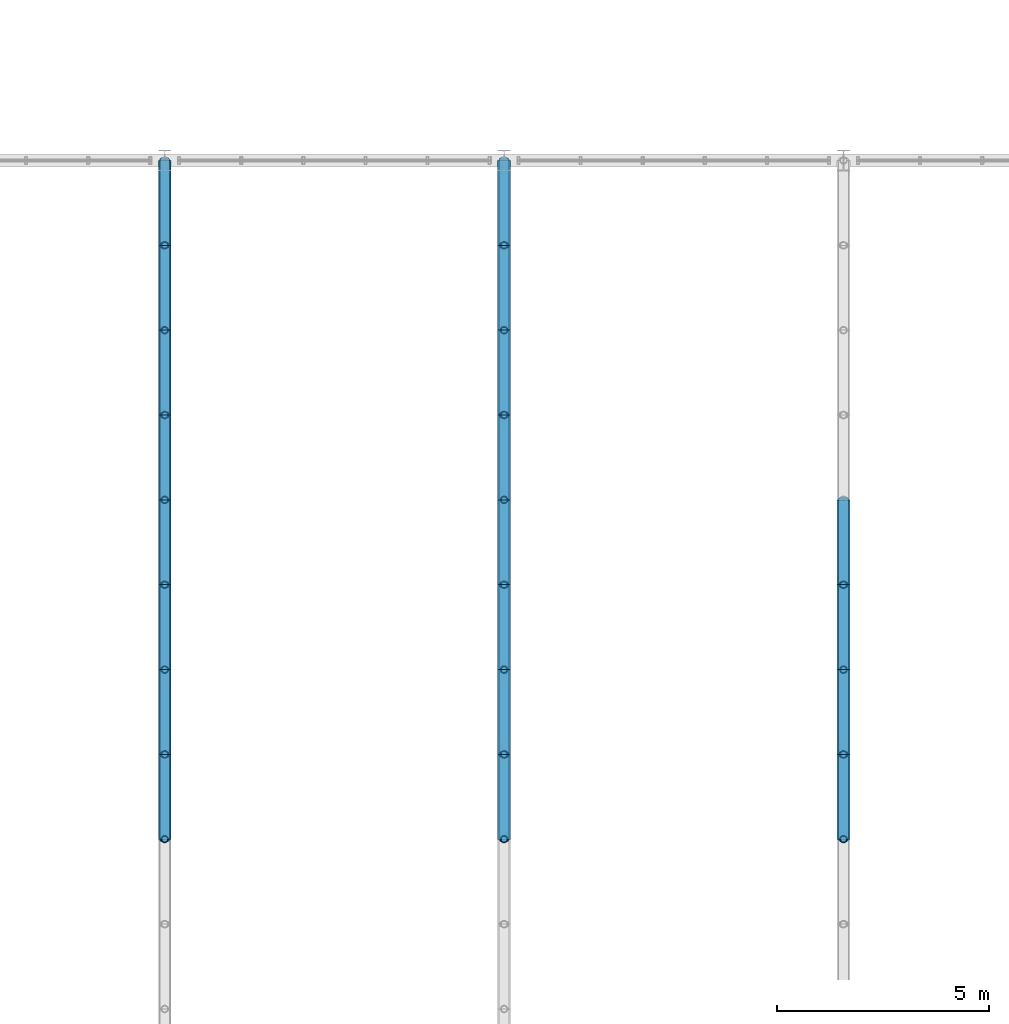
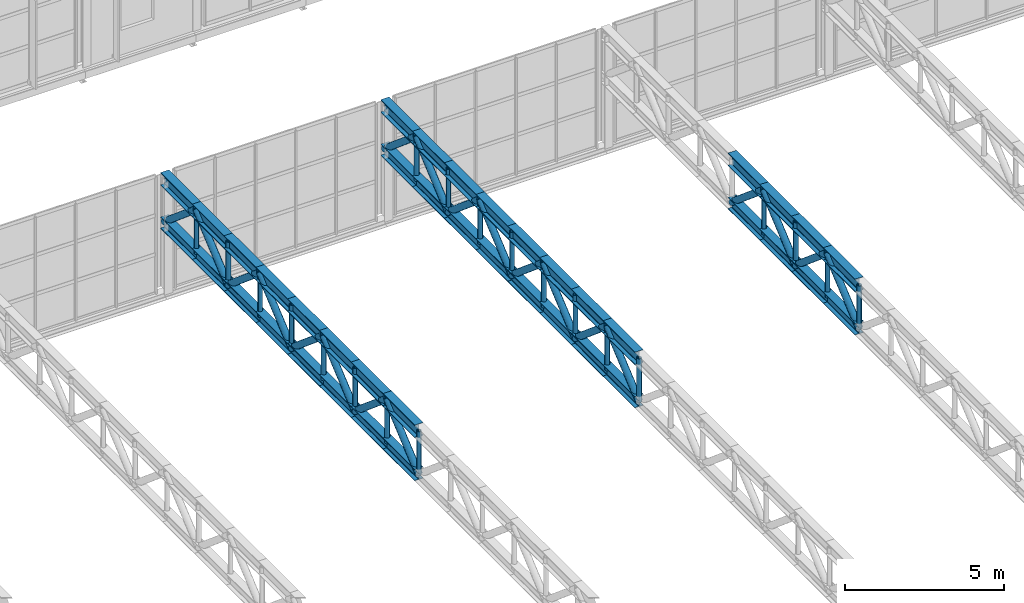
# One storey, part 88 of 143: 80 members.
"""IFC4 building model written with IfcOpenShell, lengths in metres."""

from ifc_helpers import new_model, si_unit, derived_unit, direction, frame, origin, origin_2d, place, context, subcontext, project, spatial, hollow_circle, i_section, extrude, material, material_profile, profile_set, type_object, element, save


model = new_model("IFC4")

# Units and contexts
model_context = context("Model", 3, precision=1e-05, world=origin(), true_north=direction((0.0, 1.0)))
body_context = subcontext(model_context, "Body", "Model", "MODEL_VIEW")
ifc_project = project(units=[si_unit("LENGTHUNIT", "METRE"), si_unit("AREAUNIT", "SQUARE_METRE"), si_unit("VOLUMEUNIT", "CUBIC_METRE"), si_unit("PLANEANGLEUNIT", "RADIAN"), si_unit("MASSUNIT", "GRAM", prefix="KILO"), derived_unit("THERMALTRANSMITTANCEUNIT", [(si_unit("POWERUNIT", "WATT"), 1), (si_unit("LENGTHUNIT", "METRE"), -2), (si_unit("THERMODYNAMICTEMPERATUREUNIT", "KELVIN"), -1)])], contexts=[model_context])

# Site, building, storey
site_placement = place(None, origin())
site = spatial("IfcSite", under=ifc_project, at=site_placement, CompositionType="ELEMENT")
building_placement = place(site_placement, origin())
building = spatial("IfcBuilding", under=site, at=building_placement, Name="Keldorne Ridge Multi-Sports Centre", CompositionType="ELEMENT")
storey_placement = place(building_placement, frame((0.0, 0.0, 4.800048828125)))
storey = spatial("IfcBuildingStorey", under=building, at=storey_placement, Name="L01", CompositionType="ELEMENT", Elevation=4.800048828125)

# Members
ifc_material = material(Name="Steel S355", Category="steel")
ifc_material_profile_1 = material_profile(ifc_material, i_section(OverallWidth=0.300048828125, OverallDepth=0.5, WebThickness=0.014404296875, FlangeThickness=0.028076171875, FilletRadius=0.027099609375, at=origin_2d()), Name="HEB 500")
ifc_profile_set_1 = profile_set([ifc_material_profile_1], Name="Steel S355")
member_type_1 = type_object("IfcMemberType", Name="MEM-TC-03", PredefinedType="CHORD", material=ifc_profile_set_1)
for number, where, z_axis, x_axis, name in (
    (1, (136.0, 38.0, 4.31005859375), (0.0, 1.0, 0.0), (-1.0, 0.0, 0.0), "Stacked Courts Warren TRUSS WT-L02-05 top chord 17"),
    (2, (136.0, 40.0, 4.31005859375), (0.0, 1.0, 0.0), (-1.0, 0.0, 0.0), "Stacked Courts Warren TRUSS WT-L02-05 top chord 18"),
    (3, (136.0, 42.0, 4.31005859375), (0.0, 1.0, 0.0), (-1.0, 0.0, 0.0), "Stacked Courts Warren TRUSS WT-L02-05 top chord 19"),
    (4, (136.0, 44.0, 4.31005859375), (0.0, 1.0, 0.0), (-1.0, 0.0, 0.0), "Stacked Courts Warren TRUSS WT-L02-05 top chord 20"),
    (5, (136.0, 46.0, 4.31005859375), (0.0, 1.0, 0.0), (-1.0, 0.0, 0.0), "Stacked Courts Warren TRUSS WT-L02-05 top chord 21"),
    (6, (136.0, 48.0, 4.31005859375), (0.0, 1.0, 0.0), (-1.0, 0.0, 0.0), "Stacked Courts Warren TRUSS WT-L02-05 top chord 22"),
    (7, (136.0, 50.0, 4.31005859375), (0.0, 1.0, 0.0), (-1.0, 0.0, 0.0), "Stacked Courts Warren TRUSS WT-L02-05 top chord 23"),
    (8, (136.0, 52.0, 4.31005859375), (0.0, 1.0, 0.0), (-1.0, 0.0, 0.0), "Stacked Courts Warren TRUSS WT-L02-05 top chord 24"),
    (9, (144.0, 38.0, 4.31005859375), (0.0, 1.0, 0.0), (-1.0, 0.0, 0.0), "Stacked Courts Warren TRUSS WT-L02-06 top chord 17"),
    (10, (144.0, 40.0, 4.31005859375), (0.0, 1.0, 0.0), (-1.0, 0.0, 0.0), "Stacked Courts Warren TRUSS WT-L02-06 top chord 18"),
    (11, (144.0, 42.0, 4.31005859375), (0.0, 1.0, 0.0), (-1.0, 0.0, 0.0), "Stacked Courts Warren TRUSS WT-L02-06 top chord 19"),
    (12, (144.0, 44.0, 4.31005859375), (0.0, 1.0, 0.0), (-1.0, 0.0, 0.0), "Stacked Courts Warren TRUSS WT-L02-06 top chord 20"),
    (13, (144.0, 46.0, 4.31005859375), (0.0, 1.0, 0.0), (-1.0, 0.0, 0.0), "Stacked Courts Warren TRUSS WT-L02-06 top chord 21"),
    (14, (144.0, 48.0, 4.31005859375), (0.0, 1.0, 0.0), (-1.0, 0.0, 0.0), "Stacked Courts Warren TRUSS WT-L02-06 top chord 22"),
    (15, (144.0, 50.0, 4.31005859375), (0.0, 1.0, 0.0), (-1.0, 0.0, 0.0), "Stacked Courts Warren TRUSS WT-L02-06 top chord 23"),
    (16, (144.0, 52.0, 4.31005859375), (0.0, 1.0, 0.0), (-1.0, 0.0, 0.0), "Stacked Courts Warren TRUSS WT-L02-06 top chord 24"),
    (17, (152.0, 38.0, 4.31005859375), (0.0, 1.0, 0.0), (-1.0, 0.0, 0.0), "Stacked Courts Warren TRUSS WT-L02-07 top chord 17"),
    (18, (152.0, 40.0, 4.31005859375), (0.0, 1.0, 0.0), (-1.0, 0.0, 0.0), "Stacked Courts Warren TRUSS WT-L02-07 top chord 18"),
    (19, (152.0, 42.0, 4.31005859375), (0.0, 1.0, 0.0), (-1.0, 0.0, 0.0), "Stacked Courts Warren TRUSS WT-L02-07 top chord 19"),
    (20, (152.0, 44.0, 4.31005859375), (0.0, 1.0, 0.0), (-1.0, 0.0, 0.0), "Stacked Courts Warren TRUSS WT-L02-07 top chord 20"),
):
    element("IfcMember", number, at=place(storey_placement, frame(where, z_axis=z_axis, x_axis=x_axis)), inside=storey, type_object=member_type_1, Name=name, PredefinedType="CHORD", context=body_context, shape_type="SweptSolid", body=[
        extrude(i_section(OverallWidth=0.300048828125, OverallDepth=0.5, WebThickness=0.014404296875, FlangeThickness=0.028076171875, FilletRadius=0.027099609375, at=origin_2d()), origin(), (0.0, 0.0, 1.0), 2.0),
    ])
ifc_material_profile_2 = material_profile(ifc_material, i_section(OverallWidth=0.300048828125, OverallDepth=0.449951171875, WebThickness=0.013916015625, FlangeThickness=0.02587890625, FilletRadius=0.027099609375, at=origin_2d()), Name="HEB 450")
ifc_profile_set_2 = profile_set([ifc_material_profile_2], Name="Steel S355")
member_type_2 = type_object("IfcMemberType", Name="MEM-TC-04", PredefinedType="CHORD", material=ifc_profile_set_2)
for number, where, z_axis, x_axis, name in (
    (21, (136.0, 38.0, 2.6298828125), (0.0, 1.0, 0.0), (-1.0, 0.0, 0.0), "Stacked Courts Warren TRUSS WT-L02-05 bottom chord 17"),
    (22, (136.0, 40.0, 2.6298828125), (0.0, 1.0, 0.0), (-1.0, 0.0, 0.0), "Stacked Courts Warren TRUSS WT-L02-05 bottom chord 18"),
    (23, (136.0, 42.0, 2.6298828125), (0.0, 1.0, 0.0), (-1.0, 0.0, 0.0), "Stacked Courts Warren TRUSS WT-L02-05 bottom chord 19"),
    (24, (136.0, 44.0, 2.6298828125), (0.0, 1.0, 0.0), (-1.0, 0.0, 0.0), "Stacked Courts Warren TRUSS WT-L02-05 bottom chord 20"),
    (25, (136.0, 46.0, 2.6298828125), (0.0, 1.0, 0.0), (-1.0, 0.0, 0.0), "Stacked Courts Warren TRUSS WT-L02-05 bottom chord 21"),
    (26, (136.0, 48.0, 2.6298828125), (0.0, 1.0, 0.0), (-1.0, 0.0, 0.0), "Stacked Courts Warren TRUSS WT-L02-05 bottom chord 22"),
    (27, (136.0, 50.0, 2.6298828125), (0.0, 1.0, 0.0), (-1.0, 0.0, 0.0), "Stacked Courts Warren TRUSS WT-L02-05 bottom chord 23"),
    (28, (136.0, 52.0, 2.6298828125), (0.0, 1.0, 0.0), (-1.0, 0.0, 0.0), "Stacked Courts Warren TRUSS WT-L02-05 bottom chord 24"),
    (29, (144.0, 38.0, 2.6298828125), (0.0, 1.0, 0.0), (-1.0, 0.0, 0.0), "Stacked Courts Warren TRUSS WT-L02-06 bottom chord 17"),
    (30, (144.0, 40.0, 2.6298828125), (0.0, 1.0, 0.0), (-1.0, 0.0, 0.0), "Stacked Courts Warren TRUSS WT-L02-06 bottom chord 18"),
    (31, (144.0, 42.0, 2.6298828125), (0.0, 1.0, 0.0), (-1.0, 0.0, 0.0), "Stacked Courts Warren TRUSS WT-L02-06 bottom chord 19"),
    (32, (144.0, 44.0, 2.6298828125), (0.0, 1.0, 0.0), (-1.0, 0.0, 0.0), "Stacked Courts Warren TRUSS WT-L02-06 bottom chord 20"),
    (33, (144.0, 46.0, 2.6298828125), (0.0, 1.0, 0.0), (-1.0, 0.0, 0.0), "Stacked Courts Warren TRUSS WT-L02-06 bottom chord 21"),
    (34, (144.0, 48.0, 2.6298828125), (0.0, 1.0, 0.0), (-1.0, 0.0, 0.0), "Stacked Courts Warren TRUSS WT-L02-06 bottom chord 22"),
    (35, (144.0, 50.0, 2.6298828125), (0.0, 1.0, 0.0), (-1.0, 0.0, 0.0), "Stacked Courts Warren TRUSS WT-L02-06 bottom chord 23"),
    (36, (144.0, 52.0, 2.6298828125), (0.0, 1.0, 0.0), (-1.0, 0.0, 0.0), "Stacked Courts Warren TRUSS WT-L02-06 bottom chord 24"),
    (37, (152.0, 38.0, 2.6298828125), (0.0, 1.0, 0.0), (-1.0, 0.0, 0.0), "Stacked Courts Warren TRUSS WT-L02-07 bottom chord 17"),
    (38, (152.0, 40.0, 2.6298828125), (0.0, 1.0, 0.0), (-1.0, 0.0, 0.0), "Stacked Courts Warren TRUSS WT-L02-07 bottom chord 18"),
    (39, (152.0, 42.0, 2.6298828125), (0.0, 1.0, 0.0), (-1.0, 0.0, 0.0), "Stacked Courts Warren TRUSS WT-L02-07 bottom chord 19"),
    (40, (152.0, 44.0, 2.6298828125), (0.0, 1.0, 0.0), (-1.0, 0.0, 0.0), "Stacked Courts Warren TRUSS WT-L02-07 bottom chord 20"),
):
    element("IfcMember", number, at=place(storey_placement, frame(where, z_axis=z_axis, x_axis=x_axis)), inside=storey, type_object=member_type_2, Name=name, PredefinedType="CHORD", context=body_context, shape_type="SweptSolid", body=[
        extrude(i_section(OverallWidth=0.300048828125, OverallDepth=0.449951171875, WebThickness=0.013916015625, FlangeThickness=0.02587890625, FilletRadius=0.027099609375, at=origin_2d()), origin(), (0.0, 0.0, 1.0), 2.0),
    ])
ifc_material_profile_3 = material_profile(ifc_material, hollow_circle(Radius=0.122314453125, WallThickness=0.012451171875, at=origin_2d()), Name="CHS 244.5x12.5")
ifc_profile_set_3 = profile_set([ifc_material_profile_3], Name="Steel S355")
member_type_3 = type_object("IfcMemberType", Name="MEM-TD-02", PredefinedType="BRACE", material=ifc_profile_set_3)
for number, where, z_axis, x_axis, name in (
    (41, (136.0, 38.0, 2.6298828125), (0.0, 0.765671721121, 0.643231541108), (-1.0, 0.0, 0.0), "Stacked Courts Warren TRUSS WT-L02-05 diagonal 17"),
    (42, (136.0, 40.0, 4.31005859375), (0.0, 0.765671721121, -0.643231541108), (-1.0, 0.0, 0.0), "Stacked Courts Warren TRUSS WT-L02-05 diagonal 18"),
    (43, (136.0, 42.0, 2.6298828125), (0.0, 0.765671721121, 0.643231541108), (-1.0, 0.0, 0.0), "Stacked Courts Warren TRUSS WT-L02-05 diagonal 19"),
    (44, (136.0, 44.0, 4.31005859375), (0.0, 0.765671721121, -0.643231541108), (-1.0, 0.0, 0.0), "Stacked Courts Warren TRUSS WT-L02-05 diagonal 20"),
    (45, (136.0, 46.0, 2.6298828125), (0.0, 0.765671721121, 0.643231541108), (-1.0, 0.0, 0.0), "Stacked Courts Warren TRUSS WT-L02-05 diagonal 21"),
    (46, (136.0, 48.0, 4.31005859375), (0.0, 0.765671721121, -0.643231541108), (-1.0, 0.0, 0.0), "Stacked Courts Warren TRUSS WT-L02-05 diagonal 22"),
    (47, (136.0, 50.0, 2.6298828125), (0.0, 0.765671721121, 0.643231541108), (-1.0, 0.0, 0.0), "Stacked Courts Warren TRUSS WT-L02-05 diagonal 23"),
    (48, (136.0, 52.0, 4.31005859375), (0.0, 0.765671721121, -0.643231541108), (-1.0, 0.0, 0.0), "Stacked Courts Warren TRUSS WT-L02-05 diagonal 24"),
    (49, (144.0, 38.0, 2.6298828125), (0.0, 0.765671721121, 0.643231541108), (-1.0, 0.0, 0.0), "Stacked Courts Warren TRUSS WT-L02-06 diagonal 17"),
    (50, (144.0, 40.0, 4.31005859375), (0.0, 0.765671721121, -0.643231541108), (-1.0, 0.0, 0.0), "Stacked Courts Warren TRUSS WT-L02-06 diagonal 18"),
    (51, (144.0, 42.0, 2.6298828125), (0.0, 0.765671721121, 0.643231541108), (-1.0, 0.0, 0.0), "Stacked Courts Warren TRUSS WT-L02-06 diagonal 19"),
    (52, (144.0, 44.0, 4.31005859375), (0.0, 0.765671721121, -0.643231541108), (-1.0, 0.0, 0.0), "Stacked Courts Warren TRUSS WT-L02-06 diagonal 20"),
    (53, (144.0, 46.0, 2.6298828125), (0.0, 0.765671721121, 0.643231541108), (-1.0, 0.0, 0.0), "Stacked Courts Warren TRUSS WT-L02-06 diagonal 21"),
    (54, (144.0, 48.0, 4.31005859375), (0.0, 0.765671721121, -0.643231541108), (-1.0, 0.0, 0.0), "Stacked Courts Warren TRUSS WT-L02-06 diagonal 22"),
    (55, (144.0, 50.0, 2.6298828125), (0.0, 0.765671721121, 0.643231541108), (-1.0, 0.0, 0.0), "Stacked Courts Warren TRUSS WT-L02-06 diagonal 23"),
    (56, (144.0, 52.0, 4.31005859375), (0.0, 0.765671721121, -0.643231541108), (-1.0, 0.0, 0.0), "Stacked Courts Warren TRUSS WT-L02-06 diagonal 24"),
    (57, (152.0, 38.0, 2.6298828125), (0.0, 0.765671721121, 0.643231541108), (-1.0, 0.0, 0.0), "Stacked Courts Warren TRUSS WT-L02-07 diagonal 17"),
    (58, (152.0, 40.0, 4.31005859375), (0.0, 0.765671721121, -0.643231541108), (-1.0, 0.0, 0.0), "Stacked Courts Warren TRUSS WT-L02-07 diagonal 18"),
    (59, (152.0, 42.0, 2.6298828125), (0.0, 0.765671721121, 0.643231541108), (-1.0, 0.0, 0.0), "Stacked Courts Warren TRUSS WT-L02-07 diagonal 19"),
    (60, (152.0, 44.0, 4.31005859375), (0.0, 0.765671721121, -0.643231541108), (-1.0, 0.0, 0.0), "Stacked Courts Warren TRUSS WT-L02-07 diagonal 20"),
):
    element("IfcMember", number, at=place(storey_placement, frame(where, z_axis=z_axis, x_axis=x_axis)), inside=storey, type_object=member_type_3, Name=name, PredefinedType="BRACE", context=body_context, shape_type="SweptSolid", body=[
        extrude(hollow_circle(Radius=0.122314453125, WallThickness=0.012451171875, at=origin_2d()), origin(), (0.0, 0.0, 1.0), 2.612060546875),
    ])
ifc_material_profile_4 = material_profile(ifc_material, hollow_circle(Radius=0.084228515625, WallThickness=0.010009765625, at=origin_2d()), Name="CHS 168.3x10")
ifc_profile_set_4 = profile_set([ifc_material_profile_4], Name="Steel S355")
member_type_4 = type_object("IfcMemberType", Name="MEM-TV-01", PredefinedType="STRUT", material=ifc_profile_set_4)
for number, where, z_axis, x_axis, name in (
    (61, (136.0, 38.0, 2.6298828125), (0.0, 0.0, 1.0), (1.0, 0.0, 0.0), "Stacked Courts Warren TRUSS WT-L02-05 post 17"),
    (62, (136.0, 40.0, 2.6298828125), (0.0, 0.0, 1.0), (1.0, 0.0, 0.0), "Stacked Courts Warren TRUSS WT-L02-05 post 18"),
    (63, (136.0, 42.0, 2.6298828125), (0.0, 0.0, 1.0), (1.0, 0.0, 0.0), "Stacked Courts Warren TRUSS WT-L02-05 post 19"),
    (64, (136.0, 44.0, 2.6298828125), (0.0, 0.0, 1.0), (1.0, 0.0, 0.0), "Stacked Courts Warren TRUSS WT-L02-05 post 20"),
    (65, (136.0, 46.0, 2.6298828125), (0.0, 0.0, 1.0), (1.0, 0.0, 0.0), "Stacked Courts Warren TRUSS WT-L02-05 post 21"),
    (66, (136.0, 48.0, 2.6298828125), (0.0, 0.0, 1.0), (1.0, 0.0, 0.0), "Stacked Courts Warren TRUSS WT-L02-05 post 22"),
    (67, (136.0, 50.0, 2.6298828125), (0.0, 0.0, 1.0), (1.0, 0.0, 0.0), "Stacked Courts Warren TRUSS WT-L02-05 post 23"),
    (68, (136.0, 52.0, 2.6298828125), (0.0, 0.0, 1.0), (1.0, 0.0, 0.0), "Stacked Courts Warren TRUSS WT-L02-05 post 24"),
    (69, (144.0, 38.0, 2.6298828125), (0.0, 0.0, 1.0), (1.0, 0.0, 0.0), "Stacked Courts Warren TRUSS WT-L02-06 post 17"),
    (70, (144.0, 40.0, 2.6298828125), (0.0, 0.0, 1.0), (1.0, 0.0, 0.0), "Stacked Courts Warren TRUSS WT-L02-06 post 18"),
    (71, (144.0, 42.0, 2.6298828125), (0.0, 0.0, 1.0), (1.0, 0.0, 0.0), "Stacked Courts Warren TRUSS WT-L02-06 post 19"),
    (72, (144.0, 44.0, 2.6298828125), (0.0, 0.0, 1.0), (1.0, 0.0, 0.0), "Stacked Courts Warren TRUSS WT-L02-06 post 20"),
    (73, (144.0, 46.0, 2.6298828125), (0.0, 0.0, 1.0), (1.0, 0.0, 0.0), "Stacked Courts Warren TRUSS WT-L02-06 post 21"),
    (74, (144.0, 48.0, 2.6298828125), (0.0, 0.0, 1.0), (1.0, 0.0, 0.0), "Stacked Courts Warren TRUSS WT-L02-06 post 22"),
    (75, (144.0, 50.0, 2.6298828125), (0.0, 0.0, 1.0), (1.0, 0.0, 0.0), "Stacked Courts Warren TRUSS WT-L02-06 post 23"),
    (76, (144.0, 52.0, 2.6298828125), (0.0, 0.0, 1.0), (1.0, 0.0, 0.0), "Stacked Courts Warren TRUSS WT-L02-06 post 24"),
    (77, (152.0, 38.0, 2.6298828125), (0.0, 0.0, 1.0), (1.0, 0.0, 0.0), "Stacked Courts Warren TRUSS WT-L02-07 post 17"),
    (78, (152.0, 40.0, 2.6298828125), (0.0, 0.0, 1.0), (1.0, 0.0, 0.0), "Stacked Courts Warren TRUSS WT-L02-07 post 18"),
    (79, (152.0, 42.0, 2.6298828125), (0.0, 0.0, 1.0), (1.0, 0.0, 0.0), "Stacked Courts Warren TRUSS WT-L02-07 post 19"),
    (80, (152.0, 44.0, 2.6298828125), (0.0, 0.0, 1.0), (1.0, 0.0, 0.0), "Stacked Courts Warren TRUSS WT-L02-07 post 20"),
):
    element("IfcMember", number, at=place(storey_placement, frame(where, z_axis=z_axis, x_axis=x_axis)), inside=storey, type_object=member_type_4, Name=name, PredefinedType="STRUT", context=body_context, shape_type="SweptSolid", body=[
        extrude(hollow_circle(Radius=0.084228515625, WallThickness=0.010009765625, at=origin_2d()), origin(), (0.0, 0.0, 1.0), 1.68017578125),
    ])

save(model, "model.ifc")
